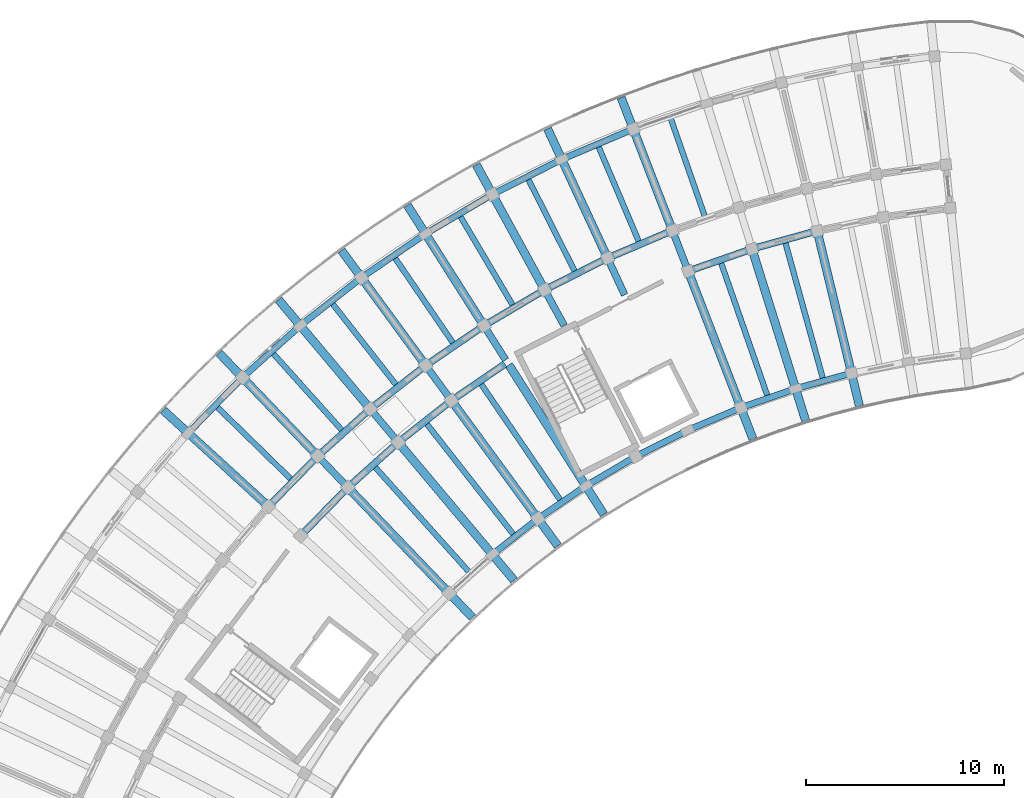
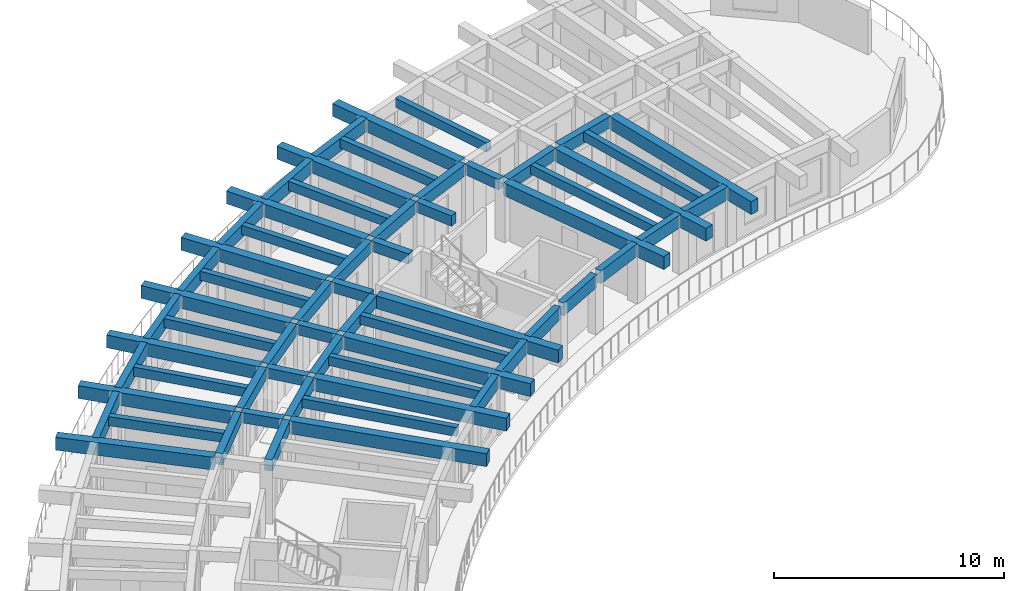
# One storey, part 13 of 78: 62 beams.
"""IFC4 building model written with IfcOpenShell, lengths in metres."""

from ifc_helpers import new_model, si_unit, direction, frame, origin, origin_2d, place, context, subcontext, project, spatial, rectangle, extrude, material, material_profile, profile_set, type_object, element, save


model = new_model("IFC4")

# Units and contexts
model_context = context("Model", 3, precision=1e-05, world=origin(), true_north=direction((0.0, 1.0)))
body_context = subcontext(model_context, "Body", "Model", "MODEL_VIEW")
ifc_project = project(units=[si_unit("LENGTHUNIT", "METRE"), si_unit("AREAUNIT", "SQUARE_METRE"), si_unit("VOLUMEUNIT", "CUBIC_METRE"), si_unit("PLANEANGLEUNIT", "RADIAN"), si_unit("MASSUNIT", "GRAM", prefix="KILO")], contexts=[model_context])

# Site, building, storey
site_placement = place(None, origin())
site = spatial("IfcSite", under=ifc_project, at=site_placement, CompositionType="ELEMENT")
building_placement = place(site_placement, origin())
building = spatial("IfcBuilding", under=site, at=building_placement, Name="Tanwirah Colonnade Gardens", CompositionType="ELEMENT")
storey_placement = place(building_placement, frame((0.0, 0.0, 22.280029296875)))
storey = spatial("IfcBuildingStorey", under=building, at=storey_placement, Name="L06", CompositionType="ELEMENT", Elevation=22.280029296875)

# Beams
ifc_material_1 = material(Name="Precast concrete C40/50", Category="concrete")
ifc_material_profile_1 = material_profile(ifc_material_1, rectangle(XDim=0.35009765625, YDim=0.550048828125, at=origin_2d()), Name="PC-BM 350x550")
ifc_profile_set_1 = profile_set([ifc_material_profile_1], Name="Precast concrete C40/50")
beam_type_1 = type_object("IfcBeamType", Name="BM-PC350A", PredefinedType="BEAM", material=ifc_profile_set_1)
for number, where, z_axis, x_axis, name in (
    (1, (46.270751953125, 108.7099609375, 2.8349609375), (-0.360175656082, 0.932884503444, 0.0), (-0.932884503444, -0.360175656082, 0.0), "Block A L06 Corridor Tie Beam 4"),
    (2, (43.115234375, 107.37060546875, 2.8349609375), (-0.420858322681, 0.90712638162, 0.0), (-0.90712638162, -0.420858322681, 0.0), "Block A L06 Corridor Tie Beam 5"),
    (3, (40.054931640625, 105.826171875, 2.8349609375), (-0.479707235792, 0.877428611301, 0.0), (-0.877428611301, -0.479707235792, 0.0), "Block A L06 Corridor Tie Beam 6"),
    (4, (37.10302734375, 104.08349609375, 2.8349609375), (-0.536509579595, 0.843894229749, 0.0), (-0.843894229749, -0.536509579595, 0.0), "Block A L06 Corridor Tie Beam 7"),
):
    element("IfcBeam", number, at=place(storey_placement, frame(where, z_axis=z_axis, x_axis=x_axis)), inside=storey, type_object=beam_type_1, Name=name, PredefinedType="BEAM", context=body_context, shape_type="SweptSolid", body=[
        extrude(rectangle(XDim=0.35009765625, YDim=0.550048828125, at=origin_2d()), origin(), (0.0, 0.0, 1.0), 1.89990234375),
    ])
beam_1_placement = place(storey_placement, frame((34.272216796875, 102.14990234375, 2.8349609375), z_axis=(-0.590895676149, 0.806747977939, 0.0), x_axis=(-0.806747977939, -0.590895676149, 0.0)))
element("IfcBeam", 5, at=beam_1_placement, inside=storey, type_object=beam_type_1, Name="Block A L06 Corridor Tie Beam 8", PredefinedType="BEAM", context=body_context, shape_type="SweptSolid", body=[
    extrude(rectangle(XDim=0.35009765625, YDim=0.550048828125, at=origin_2d()), origin(), (0.0, 0.0, 1.0), 1.900146484375),
])
beam_2_placement = place(storey_placement, frame((31.574951171875, 100.034423828125, 2.8349609375), z_axis=(-0.642797194343, 0.766036400535, 0.0), x_axis=(-0.766036400535, -0.642797194343, 0.0)))
element("IfcBeam", 6, at=beam_2_placement, inside=storey, type_object=beam_type_1, Name="Block A L06 Corridor Tie Beam 9", PredefinedType="BEAM", context=body_context, shape_type="SweptSolid", body=[
    extrude(rectangle(XDim=0.35009765625, YDim=0.550048828125, at=origin_2d()), origin(), (0.0, 0.0, 1.0), 1.89990234375),
])
beam_3_placement = place(storey_placement, frame((29.023193359375, 97.74560546875, 2.8349609375), z_axis=(-0.691913735329, 0.721980181766, 0.0), x_axis=(-0.721980181766, -0.691913735329, 0.0)))
element("IfcBeam", 7, at=beam_3_placement, inside=storey, type_object=beam_type_1, Name="Block A L06 Corridor Tie Beam 10", PredefinedType="BEAM", context=body_context, shape_type="SweptSolid", body=[
    extrude(rectangle(XDim=0.35009765625, YDim=0.550048828125, at=origin_2d()), origin(), (0.0, 0.0, 1.0), 1.900146484375),
])
ifc_material_profile_2 = material_profile(ifc_material_1, rectangle(XDim=0.35009765625, YDim=0.60009765625, at=origin_2d()), Name="PC-BM 350x600")
ifc_profile_set_2 = profile_set([ifc_material_profile_2], Name="Precast concrete C40/50")
beam_type_2 = type_object("IfcBeamType", Name="BM-PC350B", PredefinedType="BEAM", material=ifc_profile_set_2)
for number, where, z_axis, x_axis, name in (
    (8, (52.702392578125, 110.565673828125, 2.81005859375), (-0.963894965188, -0.266282737114, 0.0), (0.266282737114, -0.963894965188, 0.0), "Block A L06 Circumferential Beam 2-R1"),
    (9, (49.41064453125, 109.64599609375, 2.81005859375), (-0.944248304077, -0.329234172358, 0.0), (0.329234172358, -0.944248304077, 0.0), "Block A L06 Circumferential Beam 3-R1"),
):
    element("IfcBeam", number, at=place(storey_placement, frame(where, z_axis=z_axis, x_axis=x_axis)), inside=storey, type_object=beam_type_2, Name=name, PredefinedType="BEAM", context=body_context, shape_type="SweptSolid", body=[
        extrude(rectangle(XDim=0.35009765625, YDim=0.60009765625, at=origin_2d()), origin(), (0.0, 0.0, 1.0), 3.1181640625),
    ])
beam_4_placement = place(storey_placement, frame((45.394287109375, 110.563720703125, 2.81005859375), z_axis=(-0.920513294115, -0.390711242938, 0.0), x_axis=(0.390711242938, -0.920513294115, 0.0)))
element("IfcBeam", 10, at=beam_4_placement, inside=storey, type_object=beam_type_2, Name="Block A L06 Circumferential Beam 4-R2", PredefinedType="BEAM", context=body_context, shape_type="SweptSolid", body=[
    extrude(rectangle(XDim=0.35009765625, YDim=0.60009765625, at=origin_2d()), origin(), (0.0, 0.0, 1.0), 3.262939453125),
])
for number, where, z_axis, x_axis, name in (
    (11, (42.11865234375, 109.16259765625, 2.81005859375), (-0.89276014323, -0.450532270387, 0.0), (0.450532270387, -0.89276014323, 0.0), "Block A L06 Circumferential Beam 5-R2"),
    (12, (38.9423828125, 107.548583984375, 2.81005859375), (-0.861134978964, -0.508376384193, 0.0), (0.508376384193, -0.861134978964, 0.0), "Block A L06 Circumferential Beam 6-R2"),
):
    element("IfcBeam", number, at=place(storey_placement, frame(where, z_axis=z_axis, x_axis=x_axis)), inside=storey, type_object=beam_type_2, Name=name, PredefinedType="BEAM", context=body_context, shape_type="SweptSolid", body=[
        extrude(rectangle(XDim=0.35009765625, YDim=0.60009765625, at=origin_2d()), origin(), (0.0, 0.0, 1.0), 3.26318359375),
    ])
beam_5_placement = place(storey_placement, frame((37.0595703125, 103.872314453125, 2.81005859375), z_axis=(-0.825758291455, -0.564024152047, 0.0), x_axis=(0.564024152047, -0.825758291455, 0.0)))
element("IfcBeam", 13, at=beam_5_placement, inside=storey, type_object=beam_type_2, Name="Block A L06 Circumferential Beam 7-R1", PredefinedType="BEAM", context=body_context, shape_type="SweptSolid", body=[
    extrude(rectangle(XDim=0.35009765625, YDim=0.60009765625, at=origin_2d()), origin(), (0.0, 0.0, 1.0), 3.118408203125),
])
beam_6_placement = place(storey_placement, frame((35.87939453125, 105.728759765625, 2.81005859375), z_axis=(-0.825782284145, -0.563989024, 0.0), x_axis=(0.563989024, -0.825782284145, 0.0)))
element("IfcBeam", 14, at=beam_6_placement, inside=storey, type_object=beam_type_2, Name="Block A L06 Circumferential Beam 7-R2", PredefinedType="BEAM", context=body_context, shape_type="SweptSolid", body=[
    extrude(rectangle(XDim=0.35009765625, YDim=0.60009765625, at=origin_2d()), origin(), (0.0, 0.0, 1.0), 3.26318359375),
])
beam_7_placement = place(storey_placement, frame((34.242919921875, 101.9365234375, 2.81005859375), z_axis=(-0.78679899272, -0.617209320292, 0.0), x_axis=(0.617209320292, -0.78679899272, 0.0)))
element("IfcBeam", 15, at=beam_7_placement, inside=storey, type_object=beam_type_2, Name="Block A L06 Circumferential Beam 8-R1", PredefinedType="BEAM", context=body_context, shape_type="SweptSolid", body=[
    extrude(rectangle(XDim=0.35009765625, YDim=0.60009765625, at=origin_2d()), origin(), (0.0, 0.0, 1.0), 3.1181640625),
])
beam_8_placement = place(storey_placement, frame((32.94287109375, 103.711181640625, 2.81005859375), z_axis=(-0.786839882256, -0.617157192044, 0.0), x_axis=(0.617157192044, -0.786839882256, 0.0)))
element("IfcBeam", 16, at=beam_8_placement, inside=storey, type_object=beam_type_2, Name="Block A L06 Circumferential Beam 8-R2", PredefinedType="BEAM", context=body_context, shape_type="SweptSolid", body=[
    extrude(rectangle(XDim=0.35009765625, YDim=0.60009765625, at=origin_2d()), origin(), (0.0, 0.0, 1.0), 3.26318359375),
])
beam_9_placement = place(storey_placement, frame((31.559814453125, 99.8193359375, 2.81005859375), z_axis=(-0.744429866059, -0.667700662363, 0.0), x_axis=(0.667700662363, -0.744429866059, 0.0)))
element("IfcBeam", 17, at=beam_9_placement, inside=storey, type_object=beam_type_2, Name="Block A L06 Circumferential Beam 9-R1", PredefinedType="BEAM", context=body_context, shape_type="SweptSolid", body=[
    extrude(rectangle(XDim=0.35009765625, YDim=0.60009765625, at=origin_2d()), origin(), (0.0, 0.0, 1.0), 3.1181640625),
])
beam_10_placement = place(storey_placement, frame((30.145751953125, 101.504638671875, 2.81005859375), z_axis=(-0.744409136578, -0.667723773262, 0.0), x_axis=(0.667723773262, -0.744409136578, 0.0)))
element("IfcBeam", 18, at=beam_10_placement, inside=storey, type_object=beam_type_2, Name="Block A L06 Circumferential Beam 9-R2", PredefinedType="BEAM", context=body_context, shape_type="SweptSolid", body=[
    extrude(rectangle(XDim=0.35009765625, YDim=0.60009765625, at=origin_2d()), origin(), (0.0, 0.0, 1.0), 3.26318359375),
])
beam_11_placement = place(storey_placement, frame((29.02197265625, 97.52978515625, 2.81005859375), z_axis=(-0.698837366631, -0.715280598787, 0.0), x_axis=(0.715280598787, -0.698837366631, 0.0)))
element("IfcBeam", 19, at=beam_11_placement, inside=storey, type_object=beam_type_2, Name="Block A L06 Circumferential Beam 10-R1", PredefinedType="BEAM", context=body_context, shape_type="SweptSolid", body=[
    extrude(rectangle(XDim=0.35009765625, YDim=0.60009765625, at=origin_2d()), origin(), (0.0, 0.0, 1.0), 3.117919921875),
])
beam_12_placement = place(storey_placement, frame((27.5, 99.118408203125, 2.81005859375), z_axis=(-0.698829447339, -0.71528833594, 0.0), x_axis=(0.71528833594, -0.698829447339, 0.0)))
element("IfcBeam", 20, at=beam_12_placement, inside=storey, type_object=beam_type_2, Name="Block A L06 Circumferential Beam 10-R2", PredefinedType="BEAM", context=body_context, shape_type="SweptSolid", body=[
    extrude(rectangle(XDim=0.35009765625, YDim=0.60009765625, at=origin_2d()), origin(), (0.0, 0.0, 1.0), 3.263427734375),
])
ifc_material_2 = material(Name="Precast concrete C45/55", Category="concrete")
ifc_material_profile_3 = material_profile(ifc_material_2, rectangle(XDim=0.419921875, YDim=0.679931640625, at=origin_2d()), Name="PC-BM 420x680")
ifc_profile_set_3 = profile_set([ifc_material_profile_3], Name="Precast concrete C45/55")
beam_type_3 = type_object("IfcBeamType", Name="BM-PC420", PredefinedType="BEAM", material=ifc_profile_set_3)
beam_13_placement = place(storey_placement, frame((52.882080078125, 110.459716796875, 2.77001953125), z_axis=(0.234401428133, -0.972139892448, 0.0), x_axis=(0.972139892448, 0.234401428133, 0.0)))
element("IfcBeam", 21, at=beam_13_placement, inside=storey, type_object=beam_type_3, Name="Block A L06 Inner Radial Precast Girder 2", PredefinedType="BEAM", context=body_context, shape_type="SweptSolid", body=[
    extrude(rectangle(XDim=0.419921875, YDim=0.679931640625, at=origin_2d()), origin(), (0.0, 0.0, 1.0), 8.949951171875),
])
beam_14_placement = place(storey_placement, frame((49.596923828125, 109.55224609375, 2.77001953125), z_axis=(0.29792861283, -0.9545881529, 0.0), x_axis=(0.9545881529, 0.29792861283, 0.0)))
element("IfcBeam", 22, at=beam_14_placement, inside=storey, type_object=beam_type_3, Name="Block A L06 Inner Radial Precast Girder 3", PredefinedType="BEAM", context=body_context, shape_type="SweptSolid", body=[
    extrude(rectangle(XDim=0.419921875, YDim=0.679931640625, at=origin_2d()), origin(), (0.0, 0.0, 1.0), 8.9501953125),
])
beam_15_placement = place(storey_placement, frame((46.37890625, 108.43017578125, 2.77001953125), z_axis=(0.360155980892, -0.932892099563, 0.0), x_axis=(0.932892099563, 0.360155980892, 0.0)))
element("IfcBeam", 23, at=beam_15_placement, inside=storey, type_object=beam_type_3, Name="Block A L06 Inner Radial Precast Girder 4", PredefinedType="BEAM", context=body_context, shape_type="SweptSolid", body=[
    extrude(rectangle(XDim=0.419921875, YDim=0.679931640625, at=origin_2d()), origin(), (0.0, 0.0, 1.0), 8.949951171875),
])
for number, where, z_axis, x_axis, name in (
    (24, (45.478271484375, 110.76220703125, 2.77001953125), (-0.360150678391, 0.932894146651, 0.0), (-0.932894146651, -0.360150678391, 0.0), "Block A L06 Outer Radial Precast Girder 4"),
    (25, (42.189453125, 109.3662109375, 2.77001953125), (-0.420855908645, 0.9071275016, 0.0), (-0.9071275016, -0.420855908645, 0.0), "Block A L06 Outer Radial Precast Girder 5"),
    (26, (38.99951171875, 107.75634765625, 2.77001953125), (-0.479686549155, 0.877439920769, 0.0), (-0.877439920769, -0.479686549155, 0.0), "Block A L06 Outer Radial Precast Girder 6"),
):
    element("IfcBeam", number, at=place(storey_placement, frame(where, z_axis=z_axis, x_axis=x_axis)), inside=storey, type_object=beam_type_3, Name=name, PredefinedType="BEAM", context=body_context, shape_type="SweptSolid", body=[
        extrude(rectangle(XDim=0.419921875, YDim=0.679931640625, at=origin_2d()), origin(), (0.0, 0.0, 1.0), 7.050048828125),
    ])
beam_16_placement = place(storey_placement, frame((37.263916015625, 103.830322265625, 2.77001953125), z_axis=(0.536483588607, -0.843910753075, 0.0), x_axis=(0.843910753075, 0.536483588607, 0.0)))
element("IfcBeam", 27, at=beam_16_placement, inside=storey, type_object=beam_type_3, Name="Block A L06 Inner Radial Precast Girder 7", PredefinedType="BEAM", context=body_context, shape_type="SweptSolid", body=[
    extrude(rectangle(XDim=0.419921875, YDim=0.679931640625, at=origin_2d()), origin(), (0.0, 0.0, 1.0), 8.949951171875),
])
beam_17_placement = place(storey_placement, frame((35.922607421875, 105.93994140625, 2.77001953125), z_axis=(-0.536476584537, 0.8439152056, 0.0), x_axis=(-0.8439152056, -0.536476584537, 0.0)))
element("IfcBeam", 28, at=beam_17_placement, inside=storey, type_object=beam_type_3, Name="Block A L06 Outer Radial Precast Girder 7", PredefinedType="BEAM", context=body_context, shape_type="SweptSolid", body=[
    extrude(rectangle(XDim=0.419921875, YDim=0.679931640625, at=origin_2d()), origin(), (0.0, 0.0, 1.0), 7.050048828125),
])
beam_18_placement = place(storey_placement, frame((34.449462890625, 101.907958984375, 2.77001953125), z_axis=(0.590927205009, -0.806724883947, 0.0), x_axis=(0.806724883947, 0.590927205009, 0.0)))
element("IfcBeam", 29, at=beam_18_placement, inside=storey, type_object=beam_type_3, Name="Block A L06 Inner Radial Precast Girder 8", PredefinedType="BEAM", context=body_context, shape_type="SweptSolid", body=[
    extrude(rectangle(XDim=0.419921875, YDim=0.679931640625, at=origin_2d()), origin(), (0.0, 0.0, 1.0), 8.949951171875),
])
beam_19_placement = place(storey_placement, frame((32.97216796875, 103.9248046875, 2.77001953125), z_axis=(-0.590919194225, 0.806730751798, 0.0), x_axis=(-0.806730751798, -0.590919194225, 0.0)))
element("IfcBeam", 30, at=beam_19_placement, inside=storey, type_object=beam_type_3, Name="Block A L06 Outer Radial Precast Girder 8", PredefinedType="BEAM", context=body_context, shape_type="SweptSolid", body=[
    extrude(rectangle(XDim=0.419921875, YDim=0.679931640625, at=origin_2d()), origin(), (0.0, 0.0, 1.0), 7.050048828125),
])
beam_20_placement = place(storey_placement, frame((31.767822265625, 99.804443359375, 2.77001953125), z_axis=(0.64279407932, -0.766039014406, 0.0), x_axis=(0.766039014406, 0.64279407932, 0.0)))
element("IfcBeam", 31, at=beam_20_placement, inside=storey, type_object=beam_type_3, Name="Block A L06 Inner Radial Precast Girder 9", PredefinedType="BEAM", context=body_context, shape_type="SweptSolid", body=[
    extrude(rectangle(XDim=0.419921875, YDim=0.679931640625, at=origin_2d()), origin(), (0.0, 0.0, 1.0), 8.949951171875),
])
beam_21_placement = place(storey_placement, frame((30.160888671875, 101.7197265625, 2.77001953125), z_axis=(-0.642810291951, 0.766025409867, 0.0), x_axis=(-0.766025409867, -0.642810291951, 0.0)))
element("IfcBeam", 32, at=beam_21_placement, inside=storey, type_object=beam_type_3, Name="Block A L06 Outer Radial Precast Girder 9", PredefinedType="BEAM", context=body_context, shape_type="SweptSolid", body=[
    extrude(rectangle(XDim=0.419921875, YDim=0.679931640625, at=origin_2d()), origin(), (0.0, 0.0, 1.0), 7.0498046875),
])
beam_22_placement = place(storey_placement, frame((29.230712890625, 97.52880859375, 2.77001953125), z_axis=(0.691860926595, -0.722030787606, 0.0), x_axis=(0.722030787606, 0.691860926595, 0.0)))
element("IfcBeam", 33, at=beam_22_placement, inside=storey, type_object=beam_type_3, Name="Block A L06 Inner Radial Precast Girder 10", PredefinedType="BEAM", context=body_context, shape_type="SweptSolid", body=[
    extrude(rectangle(XDim=0.419921875, YDim=0.679931640625, at=origin_2d()), origin(), (0.0, 0.0, 1.0), 8.949951171875),
])
for number, where, z_axis, x_axis, name in (
    (34, (27.5009765625, 99.333984375, 2.77001953125), (-0.691864746793, 0.722027127015, 0.0), (-0.722027127015, -0.691864746793, 0.0), "Block A L06 Outer Radial Precast Girder 10"),
    (35, (25.004150390625, 96.7783203125, 2.77001953125), (-0.737934199263, 0.674872667663, 0.0), (-0.674872667663, -0.737934199263, 0.0), "Block A L06 Outer Radial Precast Girder 11"),
):
    element("IfcBeam", number, at=place(storey_placement, frame(where, z_axis=z_axis, x_axis=x_axis)), inside=storey, type_object=beam_type_3, Name=name, PredefinedType="BEAM", context=body_context, shape_type="SweptSolid", body=[
        extrude(rectangle(XDim=0.419921875, YDim=0.679931640625, at=origin_2d()), origin(), (0.0, 0.0, 1.0), 7.050048828125),
    ])
ifc_material_profile_4 = material_profile(ifc_material_1, rectangle(XDim=0.280029296875, YDim=0.47998046875, at=origin_2d()), Name="PC-JST 280x480")
ifc_profile_set_4 = profile_set([ifc_material_profile_4], Name="Precast concrete C40/50")
beam_type_4 = type_object("IfcBeamType", Name="JST-PC280", PredefinedType="JOIST", material=ifc_profile_set_4)
beam_23_placement = place(storey_placement, frame((53.130859375, 103.16064453125, 2.869873046875), z_axis=(-0.266307034535, 0.963888252526, 0.0), x_axis=(-0.963888252526, -0.266307034535, 0.0)))
element("IfcBeam", 36, at=beam_23_placement, inside=storey, type_object=beam_type_4, Name="Block A L06 Inner Precast Floor Joist 2", PredefinedType="JOIST", context=body_context, shape_type="SweptSolid", body=[
    extrude(rectangle(XDim=0.280029296875, YDim=0.47998046875, at=origin_2d()), origin(), (0.0, 0.0, 1.0), 7.159912109375),
])
beam_24_placement = place(storey_placement, frame((47.16552734375, 111.349853515625, 2.869873046875), z_axis=(-0.3292586038, 0.944239785131, 0.0), x_axis=(-0.944239785131, -0.3292586038, 0.0)))
element("IfcBeam", 37, at=beam_24_placement, inside=storey, type_object=beam_type_4, Name="Block A L06 Precast Floor Joist 3", PredefinedType="JOIST", context=body_context, shape_type="SweptSolid", body=[
    extrude(rectangle(XDim=0.280029296875, YDim=0.47998046875, at=origin_2d()), origin(), (0.0, 0.0, 1.0), 5.260009765625),
])
beam_25_placement = place(storey_placement, frame((50.326171875, 102.28515625, 2.869873046875), z_axis=(-0.329250558112, 0.944242590642, 0.0), x_axis=(-0.944242590642, -0.329250558112, 0.0)))
element("IfcBeam", 38, at=beam_25_placement, inside=storey, type_object=beam_type_4, Name="Block A L06 Inner Precast Floor Joist 3", PredefinedType="JOIST", context=body_context, shape_type="SweptSolid", body=[
    extrude(rectangle(XDim=0.280029296875, YDim=0.47998046875, at=origin_2d()), origin(), (0.0, 0.0, 1.0), 7.159912109375),
])
beam_26_placement = place(storey_placement, frame((43.833984375, 110.063720703125, 2.869873046875), z_axis=(-0.390723870106, 0.92050793442, 0.0), x_axis=(-0.92050793442, -0.390723870106, 0.0)))
element("IfcBeam", 39, at=beam_26_placement, inside=storey, type_object=beam_type_4, Name="Block A L06 Precast Floor Joist 4", PredefinedType="JOIST", context=body_context, shape_type="SweptSolid", body=[
    extrude(rectangle(XDim=0.280029296875, YDim=0.47998046875, at=origin_2d()), origin(), (0.0, 0.0, 1.0), 5.260009765625),
])
for number, where, z_axis, x_axis, name in (
    (40, (40.5947265625, 108.560791015625, 2.869873046875), (-0.450533699488, 0.892759422031, 0.0), (-0.892759422031, -0.450533699488, 0.0), "Block A L06 Precast Floor Joist 5"),
    (41, (37.46142578125, 106.84765625, 2.869873046875), (-0.508360236823, 0.86114451146, 0.0), (-0.86114451146, -0.508360236823, 0.0), "Block A L06 Precast Floor Joist 6"),
):
    element("IfcBeam", number, at=place(storey_placement, frame(where, z_axis=z_axis, x_axis=x_axis)), inside=storey, type_object=beam_type_4, Name=name, PredefinedType="JOIST", context=body_context, shape_type="SweptSolid", body=[
        extrude(rectangle(XDim=0.280029296875, YDim=0.47998046875, at=origin_2d()), origin(), (0.0, 0.0, 1.0), 5.26025390625),
    ])
beam_27_placement = place(storey_placement, frame((34.44775390625, 104.931884765625, 2.869873046875), z_axis=(-0.563973225998, 0.825793073571, 0.0), x_axis=(-0.825793073571, -0.563973225998, 0.0)))
element("IfcBeam", 42, at=beam_27_placement, inside=storey, type_object=beam_type_4, Name="Block A L06 Precast Floor Joist 7", PredefinedType="JOIST", context=body_context, shape_type="SweptSolid", body=[
    extrude(rectangle(XDim=0.280029296875, YDim=0.47998046875, at=origin_2d()), origin(), (0.0, 0.0, 1.0), 5.260009765625),
])
beam_28_placement = place(storey_placement, frame((39.8623046875, 97.004638671875, 2.869873046875), z_axis=(-0.564021195806, 0.825760310672, 0.0), x_axis=(-0.825760310672, -0.564021195806, 0.0)))
element("IfcBeam", 43, at=beam_28_placement, inside=storey, type_object=beam_type_4, Name="Block A L06 Inner Precast Floor Joist 7", PredefinedType="JOIST", context=body_context, shape_type="SweptSolid", body=[
    extrude(rectangle(XDim=0.280029296875, YDim=0.47998046875, at=origin_2d()), origin(), (0.0, 0.0, 1.0), 7.159912109375),
])
beam_29_placement = place(storey_placement, frame((31.56689453125, 102.82177734375, 2.869873046875), z_axis=(-0.617177687243, 0.786823806433, 0.0), x_axis=(-0.786823806433, -0.617177687243, 0.0)))
element("IfcBeam", 44, at=beam_29_placement, inside=storey, type_object=beam_type_4, Name="Block A L06 Precast Floor Joist 8", PredefinedType="JOIST", context=body_context, shape_type="SweptSolid", body=[
    extrude(rectangle(XDim=0.280029296875, YDim=0.47998046875, at=origin_2d()), origin(), (0.0, 0.0, 1.0), 5.260009765625),
])
beam_30_placement = place(storey_placement, frame((37.491943359375, 95.268310546875, 2.869873046875), z_axis=(-0.617202438917, 0.786804390808, 0.0), x_axis=(-0.786804390808, -0.617202438917, 0.0)))
element("IfcBeam", 45, at=beam_30_placement, inside=storey, type_object=beam_type_4, Name="Block A L06 Inner Precast Floor Joist 8", PredefinedType="JOIST", context=body_context, shape_type="SweptSolid", body=[
    extrude(rectangle(XDim=0.280029296875, YDim=0.47998046875, at=origin_2d()), origin(), (0.0, 0.0, 1.0), 7.159912109375),
])
beam_31_placement = place(storey_placement, frame((28.831298828125, 100.5263671875, 2.869873046875), z_axis=(-0.667678987176, 0.744449306591, 0.0), x_axis=(-0.744449306591, -0.667678987176, 0.0)))
element("IfcBeam", 46, at=beam_31_placement, inside=storey, type_object=beam_type_4, Name="Block A L06 Precast Floor Joist 9", PredefinedType="JOIST", context=body_context, shape_type="SweptSolid", body=[
    extrude(rectangle(XDim=0.280029296875, YDim=0.47998046875, at=origin_2d()), origin(), (0.0, 0.0, 1.0), 5.260009765625),
])
beam_32_placement = place(storey_placement, frame((35.2412109375, 93.379638671875, 2.869873046875), z_axis=(-0.667688404274, 0.744440860511, 0.0), x_axis=(-0.744440860511, -0.667688404274, 0.0)))
element("IfcBeam", 47, at=beam_32_placement, inside=storey, type_object=beam_type_4, Name="Block A L06 Inner Precast Floor Joist 9", PredefinedType="JOIST", context=body_context, shape_type="SweptSolid", body=[
    extrude(rectangle(XDim=0.280029296875, YDim=0.47998046875, at=origin_2d()), origin(), (0.0, 0.0, 1.0), 7.16015625),
])
beam_33_placement = place(storey_placement, frame((26.2529296875, 98.0556640625, 2.869873046875), z_axis=(-0.715297399369, 0.698820170327, 0.0), x_axis=(-0.698820170327, -0.715297399369, 0.0)))
element("IfcBeam", 48, at=beam_33_placement, inside=storey, type_object=beam_type_4, Name="Block A L06 Precast Floor Joist 10", PredefinedType="JOIST", context=body_context, shape_type="SweptSolid", body=[
    extrude(rectangle(XDim=0.280029296875, YDim=0.47998046875, at=origin_2d()), origin(), (0.0, 0.0, 1.0), 5.260009765625),
])
ifc_material_profile_5 = material_profile(ifc_material_2, rectangle(XDim=0.320068359375, YDim=0.679931640625, at=origin_2d()), Name="PC-SP 320x680")
ifc_profile_set_5 = profile_set([ifc_material_profile_5], Name="Precast concrete C45/55")
beam_type_5 = type_object("IfcBeamType", Name="SP-PC320", PredefinedType="SPANDREL", material=ifc_profile_set_5)
beam_34_placement = place(storey_placement, frame((54.436767578125, 103.371826171875, 2.77001953125), z_axis=(-0.96388669146, -0.266312684688, 0.0), x_axis=(0.266312684688, -0.96388669146, 0.0)))
element("IfcBeam", 49, at=beam_34_placement, inside=storey, type_object=beam_type_5, Name="Block A L06 Circumferential Beam 2-R0", PredefinedType="SPANDREL", context=body_context, shape_type="SweptSolid", body=[
    extrude(rectangle(XDim=0.320068359375, YDim=0.679931640625, at=origin_2d()), origin(), (0.0, 0.0, 1.0), 2.630126953125),
])
for number, where, z_axis, x_axis, name in (
    (50, (51.615478515625, 102.58203125, 2.77001953125), (-0.944249847334, -0.32922974624, 0.0), (0.32922974624, -0.944249847334, 0.0), "Block A L06 Circumferential Beam 3-R0"),
    (51, (48.85205078125, 101.608154296875, 2.77001953125), (-0.920488719784, -0.390769134848, 0.0), (0.390769134848, -0.920488719784, 0.0), "Block A L06 Circumferential Beam 4-R0"),
):
    element("IfcBeam", number, at=place(storey_placement, frame(where, z_axis=z_axis, x_axis=x_axis)), inside=storey, type_object=beam_type_5, Name=name, PredefinedType="SPANDREL", context=body_context, shape_type="SweptSolid", body=[
        extrude(rectangle(XDim=0.320068359375, YDim=0.679931640625, at=origin_2d()), origin(), (0.0, 0.0, 1.0), 2.63037109375),
    ])
beam_35_placement = place(storey_placement, frame((43.413330078125, 115.694580078125, 2.77001953125), z_axis=(-0.920494456807, -0.390755620545, 0.0), x_axis=(0.390755620545, -0.920494456807, 0.0)))
element("IfcBeam", 52, at=beam_35_placement, inside=storey, type_object=beam_type_5, Name="Block A L06 Circumferential Beam 4-R3", PredefinedType="SPANDREL", context=body_context, shape_type="SweptSolid", body=[
    extrude(rectangle(XDim=0.320068359375, YDim=0.679931640625, at=origin_2d()), origin(), (0.0, 0.0, 1.0), 3.625732421875),
])
beam_36_placement = place(storey_placement, frame((46.158935546875, 100.4541015625, 2.77001953125), z_axis=(-0.892769015158, -0.450514689632, 0.0), x_axis=(0.450514689632, -0.892769015158, 0.0)))
element("IfcBeam", 53, at=beam_36_placement, inside=storey, type_object=beam_type_5, Name="Block A L06 Circumferential Beam 5-R0", PredefinedType="SPANDREL", context=body_context, shape_type="SweptSolid", body=[
    extrude(rectangle(XDim=0.320068359375, YDim=0.679931640625, at=origin_2d()), origin(), (0.0, 0.0, 1.0), 2.63037109375),
])
beam_37_placement = place(storey_placement, frame((39.803955078125, 114.15185546875, 2.77001953125), z_axis=(-0.892764670911, -0.450523298368, 0.0), x_axis=(0.450523298368, -0.892764670911, 0.0)))
element("IfcBeam", 54, at=beam_37_placement, inside=storey, type_object=beam_type_5, Name="Block A L06 Circumferential Beam 5-R3", PredefinedType="SPANDREL", context=body_context, shape_type="SweptSolid", body=[
    extrude(rectangle(XDim=0.320068359375, YDim=0.679931640625, at=origin_2d()), origin(), (0.0, 0.0, 1.0), 3.6259765625),
])
beam_38_placement = place(storey_placement, frame((43.547607421875, 99.125244140625, 2.77001953125), z_axis=(-0.861148181788, -0.508354019363, 0.0), x_axis=(0.508354019363, -0.861148181788, 0.0)))
element("IfcBeam", 55, at=beam_38_placement, inside=storey, type_object=beam_type_5, Name="Block A L06 Circumferential Beam 6-R0", PredefinedType="SPANDREL", context=body_context, shape_type="SweptSolid", body=[
    extrude(rectangle(XDim=0.320068359375, YDim=0.679931640625, at=origin_2d()), origin(), (0.0, 0.0, 1.0), 2.63037109375),
])
beam_39_placement = place(storey_placement, frame((36.303955078125, 112.37451171875, 2.77001953125), z_axis=(-0.861136912545, -0.5083731089, 0.0), x_axis=(0.5083731089, -0.861136912545, 0.0)))
element("IfcBeam", 56, at=beam_39_placement, inside=storey, type_object=beam_type_5, Name="Block A L06 Circumferential Beam 6-R3", PredefinedType="SPANDREL", context=body_context, shape_type="SweptSolid", body=[
    extrude(rectangle(XDim=0.320068359375, YDim=0.679931640625, at=origin_2d()), origin(), (0.0, 0.0, 1.0), 3.625732421875),
])
beam_40_placement = place(storey_placement, frame((41.029541015625, 97.627197265625, 2.77001953125), z_axis=(-0.825800981874, -0.563961646158, 0.0), x_axis=(0.563961646158, -0.825800981874, 0.0)))
element("IfcBeam", 57, at=beam_40_placement, inside=storey, type_object=beam_type_5, Name="Block A L06 Circumferential Beam 7-R0", PredefinedType="SPANDREL", context=body_context, shape_type="SweptSolid", body=[
    extrude(rectangle(XDim=0.320068359375, YDim=0.679931640625, at=origin_2d()), origin(), (0.0, 0.0, 1.0), 2.63037109375),
])
beam_41_placement = place(storey_placement, frame((32.9287109375, 110.370361328125, 2.77001953125), z_axis=(-0.825782625102, -0.563988524776, 0.0), x_axis=(0.563988524776, -0.825782625102, 0.0)))
element("IfcBeam", 58, at=beam_41_placement, inside=storey, type_object=beam_type_5, Name="Block A L06 Circumferential Beam 7-R3", PredefinedType="SPANDREL", context=body_context, shape_type="SweptSolid", body=[
    extrude(rectangle(XDim=0.320068359375, YDim=0.679931640625, at=origin_2d()), origin(), (0.0, 0.0, 1.0), 3.625732421875),
])
beam_42_placement = place(storey_placement, frame((38.61572265625, 95.966552734375, 2.77001953125), z_axis=(-0.786836625031, -0.617161344795, 0.0), x_axis=(0.617161344795, -0.786836625031, 0.0)))
element("IfcBeam", 59, at=beam_42_placement, inside=storey, type_object=beam_type_5, Name="Block A L06 Circumferential Beam 8-R0", PredefinedType="SPANDREL", context=body_context, shape_type="SweptSolid", body=[
    extrude(rectangle(XDim=0.320068359375, YDim=0.679931640625, at=origin_2d()), origin(), (0.0, 0.0, 1.0), 2.63037109375),
])
beam_43_placement = place(storey_placement, frame((29.69287109375, 108.148193359375, 2.77001953125), z_axis=(-0.786843799845, -0.617152197311, 0.0), x_axis=(0.617152197311, -0.786843799845, 0.0)))
element("IfcBeam", 60, at=beam_43_placement, inside=storey, type_object=beam_type_5, Name="Block A L06 Circumferential Beam 8-R3", PredefinedType="SPANDREL", context=body_context, shape_type="SweptSolid", body=[
    extrude(rectangle(XDim=0.320068359375, YDim=0.679931640625, at=origin_2d()), origin(), (0.0, 0.0, 1.0), 3.62548828125),
])
beam_44_placement = place(storey_placement, frame((26.6103515625, 105.7177734375, 2.77001953125), z_axis=(-0.744444790955, -0.667684021989, 0.0), x_axis=(0.667684021989, -0.744444790955, 0.0)))
element("IfcBeam", 61, at=beam_44_placement, inside=storey, type_object=beam_type_5, Name="Block A L06 Circumferential Beam 9-R3", PredefinedType="SPANDREL", context=body_context, shape_type="SweptSolid", body=[
    extrude(rectangle(XDim=0.320068359375, YDim=0.679931640625, at=origin_2d()), origin(), (0.0, 0.0, 1.0), 3.625732421875),
])
beam_45_placement = place(storey_placement, frame((23.69482421875, 103.089599609375, 2.77001953125), z_axis=(-0.698844493997, -0.715273635199, 0.0), x_axis=(0.715273635199, -0.698844493997, 0.0)))
element("IfcBeam", 62, at=beam_45_placement, inside=storey, type_object=beam_type_5, Name="Block A L06 Circumferential Beam 10-R3", PredefinedType="SPANDREL", context=body_context, shape_type="SweptSolid", body=[
    extrude(rectangle(XDim=0.320068359375, YDim=0.679931640625, at=origin_2d()), origin(), (0.0, 0.0, 1.0), 3.6259765625),
])

save(model, "model.ifc")
